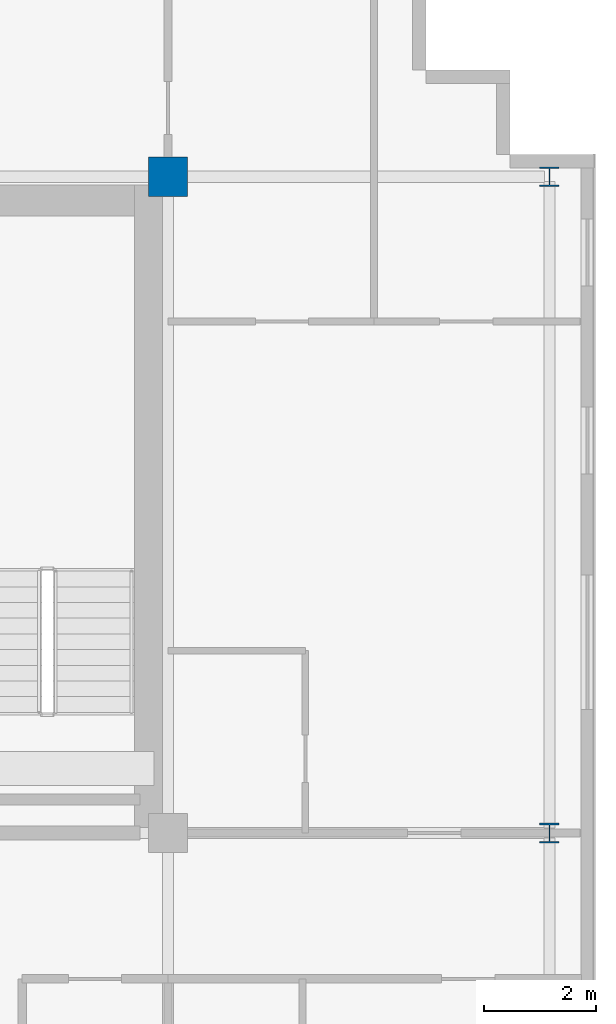
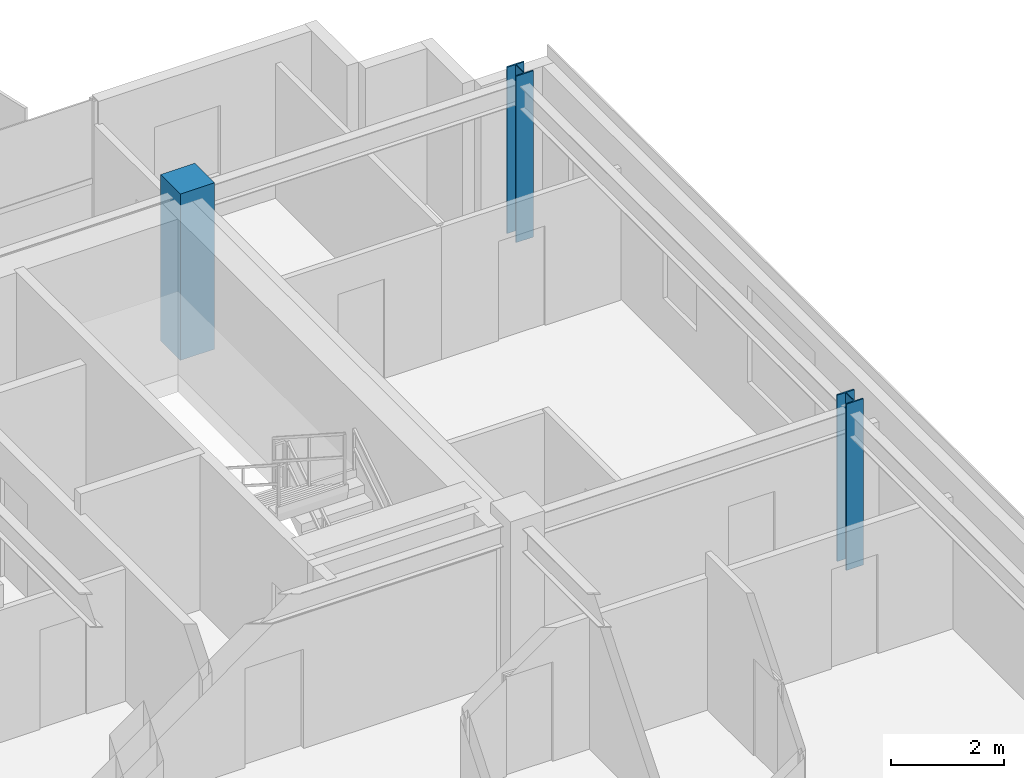
# One storey, part 4 of 23: 3 columns.
"""IFC4 building model written with IfcOpenShell, lengths in metres."""

from ifc_helpers import new_model, si_unit, direction, frame, origin, origin_2d, place, context, subcontext, project, spatial, rectangle, i_section, extrude, source, transform, mapped, material, material_profile, profile_set, type_object, element, save


model = new_model("IFC4")

# Units and contexts
model_context = context("Model", 3, precision=1e-05, world=origin(), true_north=direction((0.0, 1.0)))
body_context = subcontext(model_context, "Body", "Model", "MODEL_VIEW")
ifc_project = project(units=[si_unit("LENGTHUNIT", "METRE"), si_unit("AREAUNIT", "SQUARE_METRE"), si_unit("VOLUMEUNIT", "CUBIC_METRE"), si_unit("PLANEANGLEUNIT", "RADIAN"), si_unit("MASSUNIT", "GRAM", prefix="KILO")], contexts=[model_context])

# Site, building, storey
site_placement = place(None, origin())
site = spatial("IfcSite", under=ifc_project, at=site_placement, CompositionType="ELEMENT")
building_placement = place(site_placement, origin())
building = spatial("IfcBuilding", under=site, at=building_placement, Name="Trelvane Seafront Commons", CompositionType="ELEMENT")
storey_placement = place(building_placement, frame((0.0, 0.0, 204.89990234375)))
storey = spatial("IfcBuildingStorey", under=building, at=storey_placement, Name="L53", CompositionType="ELEMENT", Elevation=204.89990234375)

# Columns
ifc_material_1 = material(Name="Concrete C50/60", Category="concrete")
ifc_material_profile_1 = material_profile(ifc_material_1, rectangle(XDim=0.699951171875, YDim=0.699951171875, at=origin_2d()), Name="RC-700x700")
ifc_profile_set_1 = profile_set([ifc_material_profile_1], Name="Concrete C50/60")
column_type_1 = type_object("IfcColumnType", Name="STR-COL-RC700", PredefinedType="COLUMN", material=ifc_profile_set_1)
shared_shape_1 = source(origin(), body_context, "Body", "SweptSolid", [
    extrude(rectangle(XDim=0.699951171875, YDim=0.699951171875, at=origin_2d()), origin(), (0.0, 0.0, 1.0), 3.60009765625),
])
column_placement = place(storey_placement, frame((58.800048828125, 45.10009765625, 0.0), z_axis=(0.0, 0.0, 1.0), x_axis=(1.0, 0.0, 0.0)))
element("IfcColumn", 1, at=column_placement, inside=storey, type_object=column_type_1, Name="L53 Column TC-CN58.8", PredefinedType="COLUMN", context=body_context, shape_type="MappedRepresentation", body=[
    mapped(shared_shape_1, transform((0.0, 0.0, 0.0), x_axis=(1.0, 0.0, 0.0), y_axis=(0.0, 1.0, 0.0), z_axis=(0.0, 0.0, 1.0), scale=1.0)),
])
ifc_material_2 = material(Name="Steel SM355 (S355)", Category="steel")
ifc_material_profile_2 = material_profile(ifc_material_2, i_section(OverallWidth=0.35009765625, OverallDepth=0.35009765625, WebThickness=0.01806640625, FlangeThickness=0.028076171875, at=origin_2d()), Name="HD-350x350x18x28")
ifc_profile_set_2 = profile_set([ifc_material_profile_2], Name="Steel SM355 (S355)")
column_type_2 = type_object("IfcColumnType", Name="STR-COL-HD350", PredefinedType="COLUMN", material=ifc_profile_set_2)
shared_shape_2 = source(origin(), body_context, "Body", "SweptSolid", [
    extrude(i_section(OverallWidth=0.35009765625, OverallDepth=0.35009765625, WebThickness=0.01806640625, FlangeThickness=0.028076171875, at=origin_2d()), origin(), (0.0, 0.0, 1.0), 3.60009765625),
])
for number, where, z_axis, x_axis, name in (
    (2, (65.60009765625, 33.39990234375, 0.0), (0.0, 0.0, 1.0), (1.0, 0.0, 0.0), "L53 Column TC-CS65.6"),
    (3, (65.60009765625, 45.10009765625, 0.0), (0.0, 0.0, 1.0), (1.0, 0.0, 0.0), "L53 Column TC-CN65.6"),
):
    element("IfcColumn", number, at=place(storey_placement, frame(where, z_axis=z_axis, x_axis=x_axis)), inside=storey, type_object=column_type_2, Name=name, PredefinedType="COLUMN", context=body_context, shape_type="MappedRepresentation", body=[
        mapped(shared_shape_2, transform((0.0, 0.0, 0.0), x_axis=(1.0, 0.0, 0.0), y_axis=(0.0, 1.0, 0.0), z_axis=(0.0, 0.0, 1.0), scale=1.0)),
    ])

save(model, "model.ifc")
